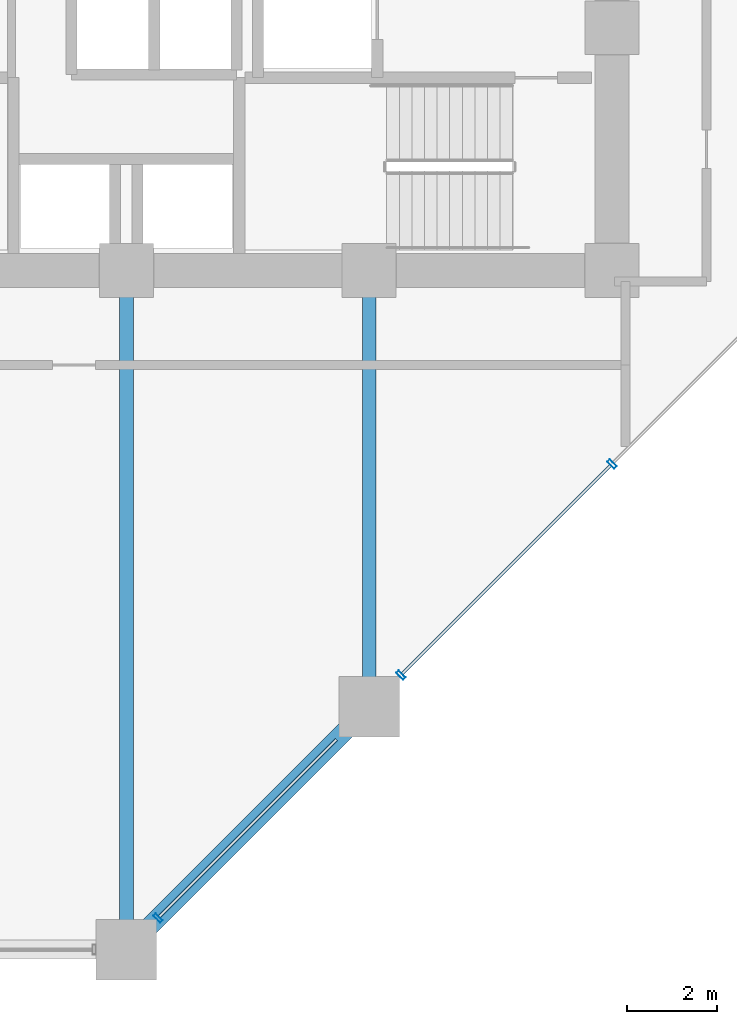
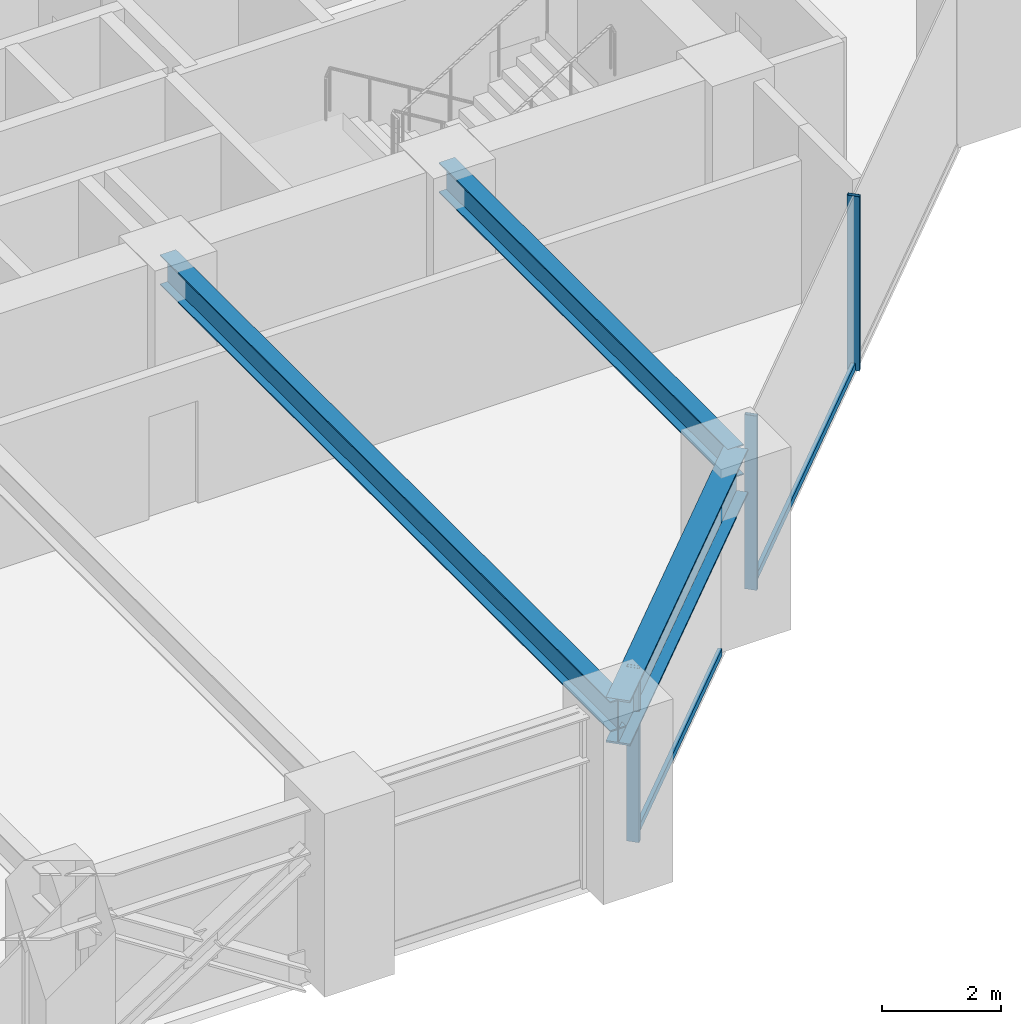
# One storey, part 7 of 25: 5 members, 3 beams, 1 element without a shape of its own.
"""IFC4 building model written with IfcOpenShell, lengths in metres."""

from ifc_helpers import new_model, si_unit, direction, frame, origin, origin_2d, place, context, subcontext, project, spatial, hollow_rectangle, i_section, extrude, material, layer, layer_set, material_profile, profile_set, type_object, element, aggregate, save


model = new_model("IFC4")

# Units and contexts
model_context = context("Model", 3, precision=1e-05, world=origin(), true_north=direction((0.0, 1.0)))
body_context = subcontext(model_context, "Body", "Model", "MODEL_VIEW")
ifc_project = project(units=[si_unit("LENGTHUNIT", "METRE"), si_unit("AREAUNIT", "SQUARE_METRE"), si_unit("VOLUMEUNIT", "CUBIC_METRE"), si_unit("PLANEANGLEUNIT", "RADIAN"), si_unit("MASSUNIT", "GRAM", prefix="KILO")], contexts=[model_context])

# Site, building, storey
site_placement = place(None, origin())
site = spatial("IfcSite", under=ifc_project, at=site_placement, CompositionType="ELEMENT")
building_placement = place(site_placement, origin())
building = spatial("IfcBuilding", under=site, at=building_placement, Name="Surkhivell Harbour Commons", CompositionType="ELEMENT")
storey_placement = place(building_placement, frame((0.0, 0.0, 37.5)))
storey = spatial("IfcBuildingStorey", under=building, at=storey_placement, Name="L09", CompositionType="ELEMENT", Elevation=37.5)

# Beams
ifc_material_1 = material(Name="Steel S355", Category="steel")
ifc_material_profile_1 = material_profile(ifc_material_1, i_section(OverallWidth=0.306884765625, OverallDepth=0.6201171875, WebThickness=0.01416015625, FlangeThickness=0.023681640625, at=origin_2d()), Name="UB610x305x179")
ifc_profile_set_1 = profile_set([ifc_material_profile_1], Name="Steel S355")
beam_type_1 = type_object("IfcBeamType", Name="BM-GRD-610A", PredefinedType="BEAM", material=ifc_profile_set_1)
beam_1_placement = place(storey_placement, frame((0.0, -25.89990234375, 3.260009765625), z_axis=(0.0, 1.0, 0.0), x_axis=(-1.0, 0.0, 0.0)))
element("IfcBeam", 1, at=beam_1_placement, inside=storey, type_object=beam_type_1, Name="L09 Floor Girder (0.0,-25.9)", PredefinedType="BEAM", context=body_context, shape_type="SweptSolid", body=[
    extrude(i_section(OverallWidth=0.306884765625, OverallDepth=0.6201171875, WebThickness=0.01416015625, FlangeThickness=0.023681640625, at=origin_2d()), origin(), (0.0, 0.0, 1.0), 15.099853515625),
])
beam_2_placement = place(storey_placement, frame((5.39990234375, -20.5, 3.260009765625), z_axis=(0.0, 1.0, 0.0), x_axis=(-1.0, 0.0, 0.0)))
element("IfcBeam", 2, at=beam_2_placement, inside=storey, type_object=beam_type_1, Name="L09 Floor Girder (5.4,-20.5)", PredefinedType="BEAM", context=body_context, shape_type="SweptSolid", body=[
    extrude(i_section(OverallWidth=0.306884765625, OverallDepth=0.6201171875, WebThickness=0.01416015625, FlangeThickness=0.023681640625, at=origin_2d()), origin(), (0.0, 0.0, 1.0), 9.699951171875),
])
ifc_material_2 = material(Name="Steel S460", Category="steel")
ifc_material_profile_2 = material_profile(ifc_material_2, i_section(OverallWidth=0.419921875, OverallDepth=0.9208984375, WebThickness=0.021484375, FlangeThickness=0.03662109375, at=origin_2d()), Name="UB914x419x388")
ifc_profile_set_2 = profile_set([ifc_material_profile_2], Name="Steel S460")
beam_type_2 = type_object("IfcBeamType", Name="BM-SPN-914A", PredefinedType="SPANDREL", material=ifc_profile_set_2)
beam_3_placement = place(storey_placement, frame((0.0, -25.89990234375, 3.109619140625), z_axis=(0.707106781187, 0.707106781187, 0.0), x_axis=(-0.707106781187, 0.707106781187, 0.0)))
element("IfcBeam", 3, at=beam_3_placement, inside=storey, type_object=beam_type_2, Name="L09 Tube Spandrel (-0.0,-25.9)", PredefinedType="SPANDREL", context=body_context, shape_type="SweptSolid", body=[
    extrude(i_section(OverallWidth=0.419921875, OverallDepth=0.9208984375, WebThickness=0.021484375, FlangeThickness=0.03662109375, at=origin_2d()), origin(), (0.0, 0.0, 1.0), 7.63671875),
])

# Curtain wall, members
ifc_material_3 = material(Name="Anodised pale-metal aluminium and insulated glazing", Category="aluminium")
ifc_layer = layer(ifc_material_3, 0.219970703125)
ifc_layer_set = layer_set([ifc_layer], Name="Anodised pale-metal aluminium and insulated glazing")
curtain_wall_type = type_object("IfcCurtainWallType", Name="CW-SYS-Z1", PredefinedType="NOTDEFINED", material=ifc_layer_set)
curtain_wall_placement = place(storey_placement, origin())
curtain_wall = element("IfcCurtainWall", 4, at=curtain_wall_placement, inside=storey, type_object=curtain_wall_type, Name="L09 Curtain Wall CW-L09-E01", PredefinedType="NOTDEFINED")
ifc_material_4 = material(Name="Anodised pale-metal aluminium alloy 6063-T6", Category="aluminium")
ifc_material_profile_3 = material_profile(ifc_material_4, hollow_rectangle(XDim=0.074951171875, YDim=0.219970703125, WallThickness=0.00390625, at=origin_2d()), Name="ALU-MULL-75x220")
ifc_profile_set_3 = profile_set([ifc_material_profile_3], Name="Anodised pale-metal aluminium alloy 6063-T6")
member_type_1 = type_object("IfcMemberType", Name="CWM-220", PredefinedType="MULLION", material=ifc_profile_set_3)
member_1_placement = place(storey_placement, frame((0.703369140625, -25.19677734375, 0.0), z_axis=(0.0, 0.0, 1.0), x_axis=(0.707106781187, 0.707106781187, 0.0)))
member_1 = element("IfcMember", 5, at=member_1_placement, type_object=member_type_1, Name="CW-Z1 mullion 1", PredefinedType="MULLION", context=body_context, shape_type="SweptSolid", body=[
    extrude(hollow_rectangle(XDim=0.074951171875, YDim=0.219970703125, WallThickness=0.00390625, at=origin_2d()), origin(), (0.0, 0.0, 1.0), 3.570068359375),
])
member_2_placement = place(storey_placement, frame((6.103271484375, -19.796630859375, 0.0), z_axis=(0.0, 0.0, 1.0), x_axis=(0.707106781187, 0.707106781187, 0.0)))
member_2 = element("IfcMember", 6, at=member_2_placement, type_object=member_type_1, Name="CW-Z1 mullion 2", PredefinedType="MULLION", context=body_context, shape_type="SweptSolid", body=[
    extrude(hollow_rectangle(XDim=0.074951171875, YDim=0.219970703125, WallThickness=0.00390625, at=origin_2d()), origin(), (0.0, 0.0, 1.0), 3.570068359375),
])
member_3_placement = place(storey_placement, frame((10.800048828125, -15.10009765625, 0.0), z_axis=(0.0, 0.0, 1.0), x_axis=(0.707106781187, 0.707106781187, 0.0)))
member_3 = element("IfcMember", 7, at=member_3_placement, type_object=member_type_1, Name="CW-Z1 mullion 3", PredefinedType="MULLION", context=body_context, shape_type="SweptSolid", body=[
    extrude(hollow_rectangle(XDim=0.074951171875, YDim=0.219970703125, WallThickness=0.00390625, at=origin_2d()), origin(), (0.0, 0.0, 1.0), 3.570068359375),
])
ifc_material_profile_4 = material_profile(ifc_material_4, hollow_rectangle(XDim=0.074951171875, YDim=0.14990234375, WallThickness=0.00341796875, at=origin_2d()), Name="ALU-TRAN-75x150")
ifc_profile_set_4 = profile_set([ifc_material_profile_4], Name="Anodised pale-metal aluminium alloy 6063-T6")
member_type_2 = type_object("IfcMemberType", Name="CWT-150", PredefinedType="USERDEFINED", material=ifc_profile_set_4)
member_4_placement = place(storey_placement, frame((0.729736328125, -25.170166015625, 0.074951171875), z_axis=(0.707106781187, 0.707106781187, 0.0), x_axis=(-0.707106781187, 0.707106781187, 0.0)))
member_4 = element("IfcMember", 8, at=member_4_placement, type_object=member_type_2, Name="CW-Z1 transom 1.1", ObjectType="TRANSOM", PredefinedType="USERDEFINED", context=body_context, shape_type="SweptSolid", body=[
    extrude(hollow_rectangle(XDim=0.074951171875, YDim=0.14990234375, WallThickness=0.00341796875, at=origin_2d()), origin(), (0.0, 0.0, 1.0), 5.572509765625),
])
member_5_placement = place(storey_placement, frame((6.1298828125, -19.770263671875, 0.074951171875), z_axis=(0.707088192925, 0.70712536896, 0.0), x_axis=(-0.70712536896, 0.707088192925, 0.0)))
member_5 = element("IfcMember", 9, at=member_5_placement, type_object=member_type_2, Name="CW-Z1 transom 2.1", ObjectType="TRANSOM", PredefinedType="USERDEFINED", context=body_context, shape_type="SweptSolid", body=[
    extrude(hollow_rectangle(XDim=0.074951171875, YDim=0.14990234375, WallThickness=0.00341796875, at=origin_2d()), origin(), (0.0, 0.0, 1.0), 6.567138671875),
])
aggregate(curtain_wall, [member_1, member_4, member_2, member_3, member_5])

save(model, "model.ifc")
